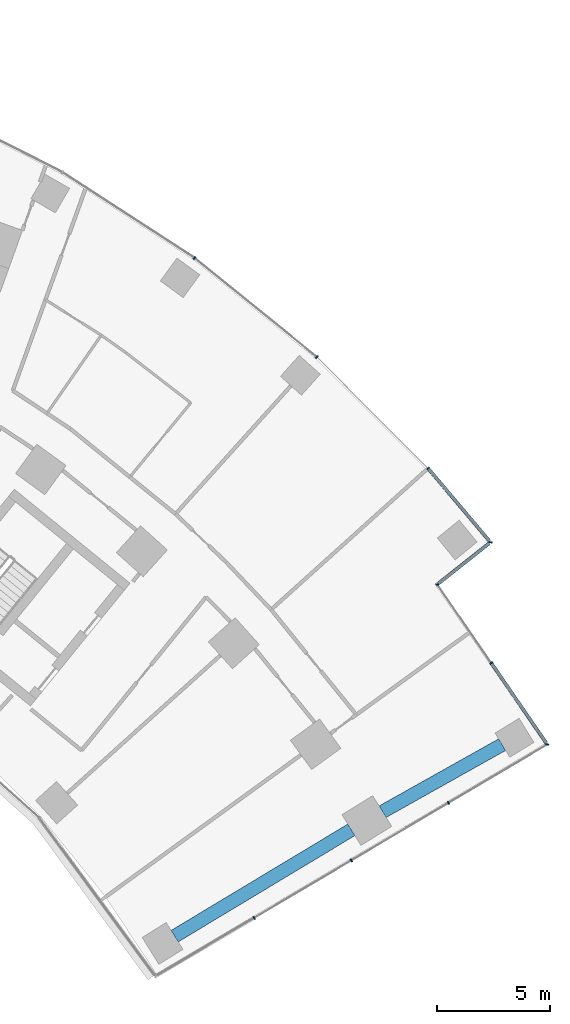
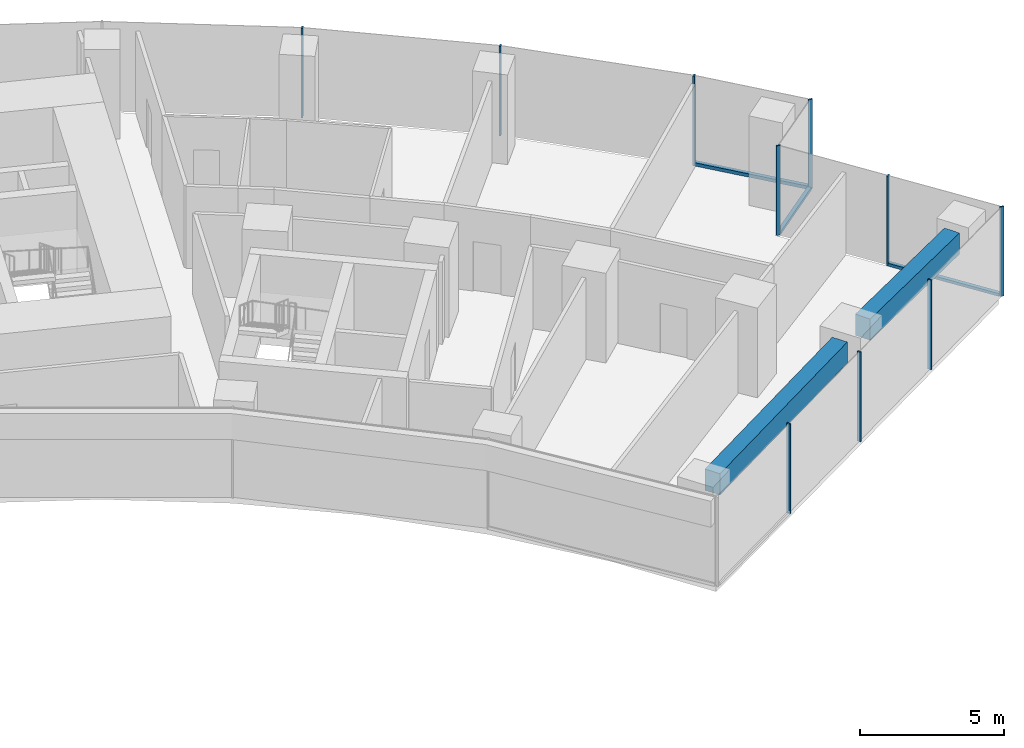
# One storey, part 10 of 21: 13 members, 2 beams, 4 elements without a shape of their own.
"""IFC4 building model written with IfcOpenShell, lengths in metres."""

from ifc_helpers import new_model, si_unit, direction, frame, origin, origin_2d, place, context, subcontext, project, spatial, rectangle, extrude, material, layer, layer_set, material_profile, profile_set, type_object, element, aggregate, save


model = new_model("IFC4")

# Units and contexts
model_context = context("Model", 3, precision=1e-05, world=origin(), true_north=direction((0.0, 1.0)))
body_context = subcontext(model_context, "Body", "Model", "MODEL_VIEW")
ifc_project = project(units=[si_unit("LENGTHUNIT", "METRE"), si_unit("AREAUNIT", "SQUARE_METRE"), si_unit("VOLUMEUNIT", "CUBIC_METRE"), si_unit("PLANEANGLEUNIT", "RADIAN"), si_unit("MASSUNIT", "GRAM", prefix="KILO")], contexts=[model_context])

# Site, building, storey
site_placement = place(None, origin())
site = spatial("IfcSite", under=ifc_project, at=site_placement, CompositionType="ELEMENT")
building_placement = place(site_placement, origin())
building = spatial("IfcBuilding", under=site, at=building_placement, Name="Stone Belt Terrace Tower", CompositionType="ELEMENT")
storey_placement = place(building_placement, frame((0.0, 0.0, 33.800048828125)))
storey = spatial("IfcBuildingStorey", under=building, at=storey_placement, Name="L07", CompositionType="ELEMENT", Elevation=33.800048828125)

# Curtain wall, members
ifc_material_1 = material(Name="Aluminium 6063-T6 anodised frame", Category="aluminium")
ifc_layer_1 = layer(ifc_material_1, 0.14990234375)
ifc_layer_set_1 = layer_set([ifc_layer_1], Name="CW-A unitised convex-face curtain wall")
curtain_wall_type_1 = type_object("IfcCurtainWallType", Name="CW-A unitised convex-face curtain wall", PredefinedType="NOTDEFINED", material=ifc_layer_set_1)
curtain_wall_1_placement = place(storey_placement, origin())
curtain_wall_1 = element("IfcCurtainWall", 1, at=curtain_wall_1_placement, inside=storey, type_object=curtain_wall_type_1, Name="CW-A convex face L07", PredefinedType="NOTDEFINED")
ifc_material_profile_1 = material_profile(ifc_material_1, rectangle(XDim=0.14990234375, YDim=0.06005859375, at=origin_2d()), Name="Aluminium 6063-T6 60x150")
ifc_profile_set_1 = profile_set([ifc_material_profile_1], Name="Aluminium 6063-T6 anodised frame")
member_type_1 = type_object("IfcMemberType", Name="CW-A mullion 60 x 150", PredefinedType="MULLION", material=ifc_profile_set_1)
member_1_placement = place(storey_placement, frame((52.24072265625, 41.27294921875, 0.0), z_axis=(0.0, 0.0, 1.0), x_axis=(-0.995023084308, 0.099644677203, 0.0)))
member_1 = element("IfcMember", 2, at=member_1_placement, type_object=member_type_1, Name="CW-A mullion 1", PredefinedType="MULLION", context=body_context, shape_type="SweptSolid", body=[
    extrude(rectangle(XDim=0.14990234375, YDim=0.06005859375, at=origin_2d()), origin(), (0.0, 0.0, 1.0), 3.800048828125),
])
member_2_placement = place(storey_placement, frame((49.474365234375, 44.548095703125, 0.0), z_axis=(0.0, 0.0, 1.0), x_axis=(-0.73617076011, -0.676795842155, 0.0)))
member_2 = element("IfcMember", 3, at=member_2_placement, type_object=member_type_1, Name="CW-A mullion 2", PredefinedType="MULLION", context=body_context, shape_type="SweptSolid", body=[
    extrude(rectangle(XDim=0.14990234375, YDim=0.06005859375, at=origin_2d()), origin(), (0.0, 0.0, 1.0), 3.800048828125),
])
member_3_placement = place(storey_placement, frame((44.54736328125, 49.474853515625, 0.0), z_axis=(0.0, 0.0, 1.0), x_axis=(-0.669130606359, -0.743144825477, 0.0)))
member_3 = element("IfcMember", 4, at=member_3_placement, type_object=member_type_1, Name="CW-A mullion 3", PredefinedType="MULLION", context=body_context, shape_type="SweptSolid", body=[
    extrude(rectangle(XDim=0.14990234375, YDim=0.06005859375, at=origin_2d()), origin(), (0.0, 0.0, 1.0), 3.800048828125),
])
member_4_placement = place(storey_placement, frame((39.1318359375, 53.8603515625, 0.0), z_axis=(0.0, 0.0, 1.0), x_axis=(-0.587785252292, -0.809016994375, 0.0)))
member_4 = element("IfcMember", 5, at=member_4_placement, type_object=member_type_1, Name="CW-A mullion 4", PredefinedType="MULLION", context=body_context, shape_type="SweptSolid", body=[
    extrude(rectangle(XDim=0.14990234375, YDim=0.06005859375, at=origin_2d()), origin(), (0.0, 0.0, 1.0), 3.800048828125),
])
ifc_material_profile_2 = material_profile(ifc_material_1, rectangle(XDim=0.14990234375, YDim=0.139892578125, at=origin_2d()), Name="Aluminium 6063-T6 150x140")
ifc_profile_set_2 = profile_set([ifc_material_profile_2], Name="Aluminium 6063-T6 anodised frame")
member_type_2 = type_object("IfcMemberType", Name="CW-A transom 140 x 150", PredefinedType="USERDEFINED", material=ifc_profile_set_2)
member_5_placement = place(storey_placement, frame((52.192626953125, 41.330078125, 0.070068359375), z_axis=(-0.645289935316, 0.763937758839, 0.0), x_axis=(-0.763937758839, -0.645289935316, 0.0)))
member_5 = element("IfcMember", 6, at=member_5_placement, type_object=member_type_2, Name="CW-A transom 1.1", ObjectType="TRANSOM", PredefinedType="USERDEFINED", context=body_context, shape_type="SweptSolid", body=[
    extrude(rectangle(XDim=0.14990234375, YDim=0.139892578125, at=origin_2d()), origin(), (0.0, 0.0, 1.0), 4.17919921875),
])
aggregate(curtain_wall_1, [member_1, member_2, member_3, member_4, member_5])

ifc_layer_2 = layer(ifc_material_1, 0.14990234375)
ifc_layer_set_2 = layer_set([ifc_layer_2], Name="CW-C stick curtain wall, horn ends and notches")
curtain_wall_type_2 = type_object("IfcCurtainWallType", Name="CW-C stick curtain wall, horn ends and notches", PredefinedType="NOTDEFINED", material=ifc_layer_set_2)
curtain_wall_2_placement = place(storey_placement, origin())
curtain_wall_2 = element("IfcCurtainWall", 7, at=curtain_wall_2_placement, inside=storey, type_object=curtain_wall_type_2, Name="CW-C end face L07", PredefinedType="NOTDEFINED")
ifc_material_profile_3 = material_profile(ifc_material_1, rectangle(XDim=0.14990234375, YDim=0.06005859375, at=origin_2d()), Name="Aluminium 6063-T6 60x150")
ifc_profile_set_3 = profile_set([ifc_material_profile_3], Name="Aluminium 6063-T6 anodised frame")
member_type_3 = type_object("IfcMemberType", Name="CW-C mullion 60 x 150", PredefinedType="MULLION", material=ifc_profile_set_3)
member_6_placement = place(storey_placement, frame((41.775146484375, 24.63916015625, 0.0), z_axis=(0.0, 0.0, 1.0), x_axis=(-0.509352918793, 0.860557728521, 0.0)))
member_6 = element("IfcMember", 8, at=member_6_placement, type_object=member_type_3, Name="CW-C mullion 2", PredefinedType="MULLION", context=body_context, shape_type="SweptSolid", body=[
    extrude(rectangle(XDim=0.14990234375, YDim=0.06005859375, at=origin_2d()), origin(), (0.0, 0.0, 1.0), 3.800048828125),
])
member_7_placement = place(storey_placement, frame((46.078125, 27.185791015625, 0.0), z_axis=(0.0, 0.0, 1.0), x_axis=(-0.509352918793, 0.860557728521, 0.0)))
member_7 = element("IfcMember", 9, at=member_7_placement, type_object=member_type_3, Name="CW-C mullion 3", PredefinedType="MULLION", context=body_context, shape_type="SweptSolid", body=[
    extrude(rectangle(XDim=0.14990234375, YDim=0.06005859375, at=origin_2d()), origin(), (0.0, 0.0, 1.0), 3.800048828125),
])
member_8_placement = place(storey_placement, frame((50.380859375, 29.732666015625, 0.0), z_axis=(0.0, 0.0, 1.0), x_axis=(-0.509352918793, 0.860557728521, 0.0)))
member_8 = element("IfcMember", 10, at=member_8_placement, type_object=member_type_3, Name="CW-C mullion 4", PredefinedType="MULLION", context=body_context, shape_type="SweptSolid", body=[
    extrude(rectangle(XDim=0.14990234375, YDim=0.06005859375, at=origin_2d()), origin(), (0.0, 0.0, 1.0), 3.800048828125),
])
aggregate(curtain_wall_2, [member_6, member_7, member_8])

curtain_wall_3_placement = place(storey_placement, origin())
curtain_wall_3 = element("IfcCurtainWall", 11, at=curtain_wall_3_placement, inside=storey, type_object=curtain_wall_type_2, Name="CW-C notch face L07", PredefinedType="NOTDEFINED")
member_9_placement = place(storey_placement, frame((54.752685546875, 32.3203125, 0.0), z_axis=(0.0, 0.0, 1.0), x_axis=(-0.976519557331, 0.215428768157, 0.0)))
member_9 = element("IfcMember", 12, at=member_9_placement, type_object=member_type_3, Name="CW-C mullion 1", PredefinedType="MULLION", context=body_context, shape_type="SweptSolid", body=[
    extrude(rectangle(XDim=0.14990234375, YDim=0.06005859375, at=origin_2d()), origin(), (0.0, 0.0, 1.0), 3.800048828125),
])
member_10_placement = place(storey_placement, frame((52.275390625, 35.925048828125, 0.0), z_axis=(0.0, 0.0, 1.0), x_axis=(-0.824146991357, -0.566375967567, 0.0)))
member_10 = element("IfcMember", 13, at=member_10_placement, type_object=member_type_3, Name="CW-C mullion 2", PredefinedType="MULLION", context=body_context, shape_type="SweptSolid", body=[
    extrude(rectangle(XDim=0.14990234375, YDim=0.06005859375, at=origin_2d()), origin(), (0.0, 0.0, 1.0), 3.800048828125),
])

# Curtain wall, member
curtain_wall_4_placement = place(storey_placement, origin())
curtain_wall_4 = element("IfcCurtainWall", 14, at=curtain_wall_4_placement, inside=storey, type_object=curtain_wall_type_2, Name="CW-C notch face L07", PredefinedType="NOTDEFINED")
member_11_placement = place(storey_placement, frame((49.88330078125, 39.406005859375, 0.0), z_axis=(0.0, 0.0, 1.0), x_axis=(-0.988851375203, 0.14890586879, 0.0)))
member_11 = element("IfcMember", 15, at=member_11_placement, type_object=member_type_3, Name="CW-C mullion 1", PredefinedType="MULLION", context=body_context, shape_type="SweptSolid", body=[
    extrude(rectangle(XDim=0.14990234375, YDim=0.06005859375, at=origin_2d()), origin(), (0.0, 0.0, 1.0), 3.800048828125),
])

# Member
ifc_material_profile_4 = material_profile(ifc_material_1, rectangle(XDim=0.14990234375, YDim=0.1201171875, at=origin_2d()), Name="Aluminium 6063-T6 150x120")
ifc_profile_set_4 = profile_set([ifc_material_profile_4], Name="Aluminium 6063-T6 anodised frame")
member_type_4 = type_object("IfcMemberType", Name="CW-C transom 120 x 150", PredefinedType="USERDEFINED", material=ifc_profile_set_4)
member_12_placement = place(storey_placement, frame((54.7099609375, 32.38232421875, 0.06005859375), z_axis=(-0.566339474571, 0.824172069135, 0.0), x_axis=(-0.824172069135, -0.566339474571, 0.0)))
member_12 = element("IfcMember", 16, at=member_12_placement, type_object=member_type_4, Name="CW-C transom 1.1", ObjectType="TRANSOM", PredefinedType="USERDEFINED", context=body_context, shape_type="SweptSolid", body=[
    extrude(rectangle(XDim=0.14990234375, YDim=0.1201171875, at=origin_2d()), origin(), (0.0, 0.0, 1.0), 4.2685546875),
])

aggregate(curtain_wall_3, [member_9, member_10, member_12])

member_13_placement = place(storey_placement, frame((49.9404296875, 39.451416015625, 0.06005859375), z_axis=(0.783966177893, 0.620803537297, 0.0), x_axis=(-0.620803537297, 0.783966177893, 0.0)))
member_13 = element("IfcMember", 17, at=member_13_placement, type_object=member_type_4, Name="CW-C transom 1.1", ObjectType="TRANSOM", PredefinedType="USERDEFINED", context=body_context, shape_type="SweptSolid", body=[
    extrude(rectangle(XDim=0.14990234375, YDim=0.1201171875, at=origin_2d()), origin(), (0.0, 0.0, 1.0), 2.859375),
])

aggregate(curtain_wall_4, [member_11, member_13])

# Beams
ifc_material_2 = material(Name="Concrete B60", Category="concrete")
ifc_material_profile_5 = material_profile(ifc_material_2, rectangle(XDim=0.60009765625, YDim=0.89990234375, at=origin_2d()), Name="RC 600x900")
ifc_profile_set_5 = profile_set([ifc_material_profile_5], Name="Concrete B60")
beam_type = type_object("IfcBeamType", Name="Edge beam RC 600x900 B60", PredefinedType="SPANDREL", material=ifc_profile_set_5)
beam_1_placement = place(storey_placement, frame((38.253662109375, 23.83203125, 3.030029296875), z_axis=(0.856900189152, 0.51548236229, 0.0), x_axis=(-0.51548236229, 0.856900189152, 0.0)))
element("IfcBeam", 18, at=beam_1_placement, inside=storey, type_object=beam_type, Name="Edge beam L07 B P to Q", PredefinedType="SPANDREL", context=body_context, shape_type="SweptSolid", body=[
    extrude(rectangle(XDim=0.60009765625, YDim=0.89990234375, at=origin_2d()), origin(), (0.0, 0.0, 1.0), 9.130859375),
])
beam_2_placement = place(storey_placement, frame((47.4619140625, 29.3427734375, 3.030029296875), z_axis=(0.872212947991, 0.489126336806, 0.0), x_axis=(-0.489126336806, 0.872212947991, 0.0)))
element("IfcBeam", 19, at=beam_2_placement, inside=storey, type_object=beam_type, Name="Edge beam L07 B Q to R", PredefinedType="SPANDREL", context=body_context, shape_type="SweptSolid", body=[
    extrude(rectangle(XDim=0.60009765625, YDim=0.89990234375, at=origin_2d()), origin(), (0.0, 0.0, 1.0), 6.069091796875),
])

save(model, "model.ifc")
